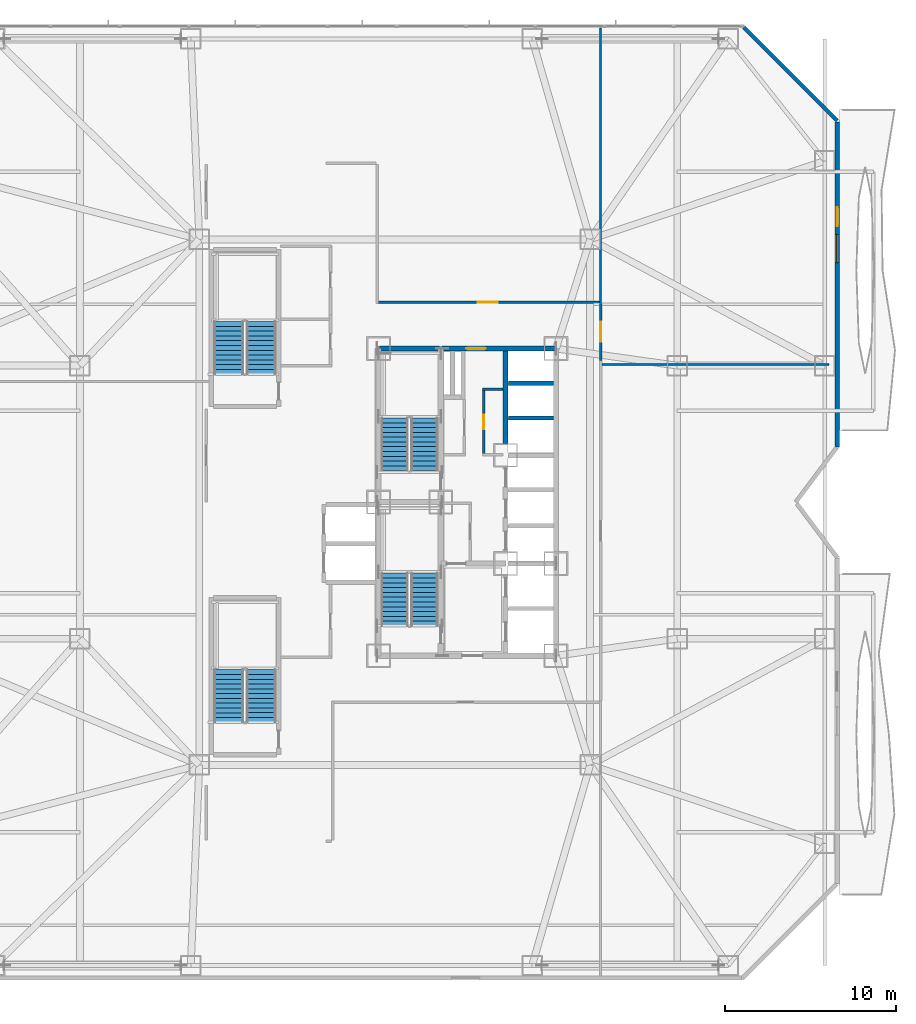
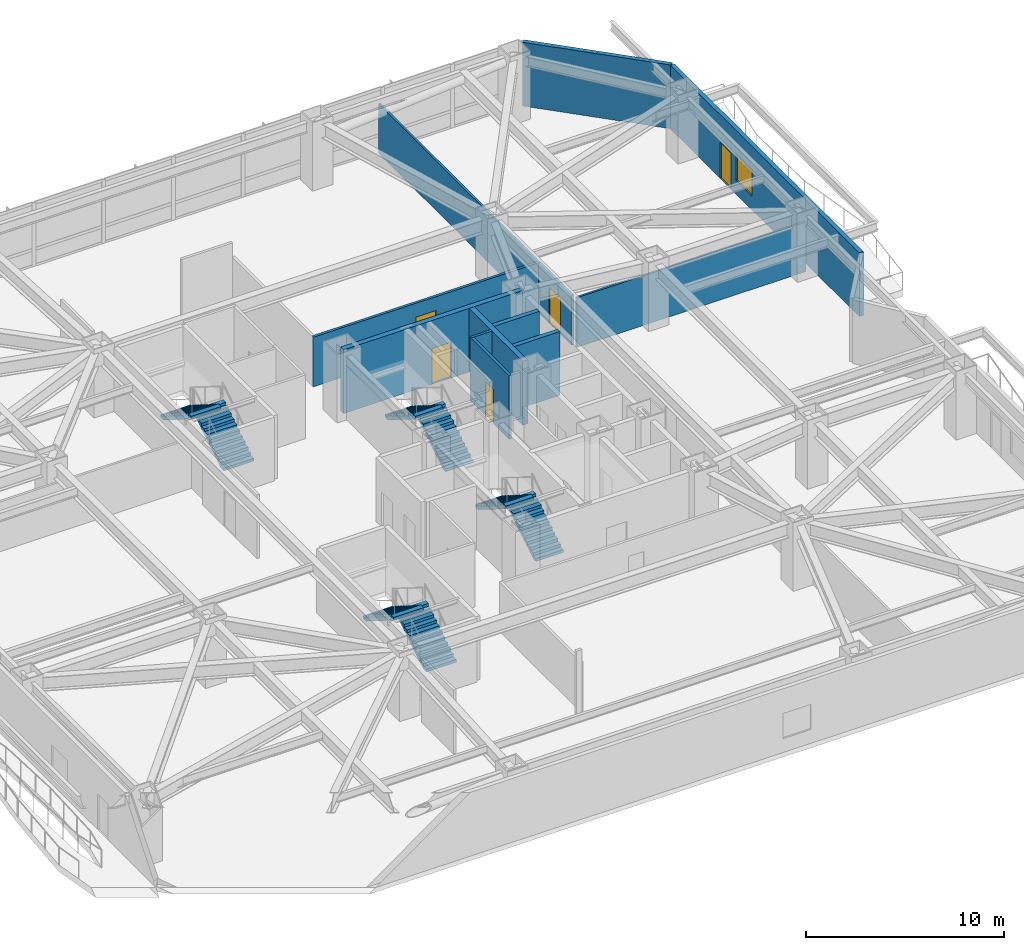
# One storey, part 18 of 24: 12 walls, 8 stair flights, 5 doors, 1 window, 6 openings, 4 elements without a shape of their own.
"""IFC4 building model written with IfcOpenShell, lengths in metres."""

from ifc_helpers import new_model, si_unit, direction, frame, frame_2d, origin, place, context, subcontext, project, spatial, polyline, rectangle, outline, extrude, material, layer, layer_set, type_object, element, fill, aggregate, save


model = new_model("IFC4")

# Units and contexts
model_context = context("Model", 3, precision=1e-05, world=origin(), true_north=direction((0.0, 1.0)))
body_context = subcontext(model_context, "Body", "Model", "MODEL_VIEW")
ifc_project = project(units=[si_unit("LENGTHUNIT", "METRE"), si_unit("AREAUNIT", "SQUARE_METRE"), si_unit("VOLUMEUNIT", "CUBIC_METRE"), si_unit("PLANEANGLEUNIT", "RADIAN"), si_unit("MASSUNIT", "GRAM", prefix="KILO")], contexts=[model_context])

# Site, building, storey
site_placement = place(None, origin())
site = spatial("IfcSite", under=ifc_project, at=site_placement, CompositionType="ELEMENT")
building_placement = place(site_placement, origin())
building = spatial("IfcBuilding", under=site, at=building_placement, Name="Khamvora Tower", CompositionType="ELEMENT")
storey_placement = place(building_placement, frame((0.0, 0.0, 20.39990234375)))
storey = spatial("IfcBuildingStorey", under=building, at=storey_placement, Name="L04", CompositionType="ELEMENT", Elevation=20.39990234375)

# Wall, opening, door
ifc_material_1 = material(Name="Concrete C50/60", Category="concrete")
ifc_layer_1 = layer(ifc_material_1, 0.300048828125)
ifc_layer_set_1 = layer_set([ifc_layer_1], Name="Concrete C50/60")
wall_type_1 = type_object("IfcWallType", Name="WAL-CORE-300", PredefinedType="SHEAR", material=ifc_layer_set_1)
wall_1_placement = place(storey_placement, frame((29.0, 37.0, 0.0), z_axis=(0.0, 0.0, 1.0), x_axis=(1.0, 0.0, 0.0)))
wall_1 = element("IfcWall", 1, at=wall_1_placement, inside=storey, type_object=wall_type_1, Name="L04 central core north wall", PredefinedType="SHEAR", context=body_context, shape_type="SweptSolid", body=[
    extrude(rectangle(XDim=10.39990234375, YDim=0.300048828125, at=frame_2d((5.199951171875, 0.0))), origin(), (0.0, 0.0, 1.0), 3.920166015625),
])
opening_1_placement = place(wall_1_placement, frame((5.139892578125, 0.0, 0.0)))
opening_1 = element("IfcOpeningElement", 2, at=opening_1_placement, cuts=wall_1, Name="Opening D-SC1", PredefinedType="OPENING", context=body_context, shape_type="SweptSolid", body=[
    extrude(rectangle(XDim=1.14990234375, YDim=2.199951171875, at=frame_2d((0.574951171875, 1.10009765625))), frame((0.0, 0.159912109375, 0.0), z_axis=(0.0, -1.0, 0.0), x_axis=(1.0, 0.0, 0.0)), (0.0, 0.0, 1.0), 0.320068359375),
])
ifc_material_2 = material(Name="Powder-Coated Steel and Hardwood Leaf", Category="steel")
door_type_1 = type_object("IfcDoorType", Name="DOR-SCHL-1150", OperationType="NOTDEFINED", PredefinedType="DOOR", material=ifc_material_2)
door_1_placement = place(opening_1_placement, origin())
door_1 = element("IfcDoor", 3, at=door_1_placement, inside=storey, type_object=door_type_1, Name="L04 north core lobby to corridor fire door", OperationType="SINGLE_SWING_RIGHT", OverallHeight=2.199951171875, OverallWidth=1.14990234375, PredefinedType="DOOR", context=body_context, shape_type="SweptSolid", body=[
    extrude(rectangle(XDim=1.14990234375, YDim=2.199951171875, at=frame_2d((0.574951171875, 1.10009765625))), frame((0.0, 0.02490234375, 0.0), z_axis=(0.0, -1.0, 0.0), x_axis=(1.0, 0.0, 0.0)), (0.0, 0.0, 1.0), 0.050048828125),
])
fill(opening_1, door_1)

# Walls
wall_2_placement = place(storey_placement, frame((36.449951171875, 31.449951171875, 0.0), z_axis=(0.0, 0.0, 1.0), x_axis=(0.0, 1.0, 0.0)))
element("IfcWall", 4, at=wall_2_placement, inside=storey, type_object=wall_type_1, Name="L04 central core lift bank north wall", PredefinedType="SHEAR", context=body_context, shape_type="SweptSolid", body=[
    extrude(rectangle(XDim=5.39599609375, YDim=0.300048828125, at=frame_2d((2.697998046875, 0.0))), origin(), (0.0, 0.0, 1.0), 3.920166015625),
])
ifc_material_3 = material(Name="Fire-Rated Drywall and Steel Stud", Category="steel")
ifc_layer_2 = layer(ifc_material_3, 0.14990234375)
ifc_layer_set_2 = layer_set([ifc_layer_2], Name="Fire-Rated Drywall and Steel Stud")
wall_type_2 = type_object("IfcWallType", Name="WAL-CORR-150", PredefinedType="STANDARD", material=ifc_layer_set_2)
wall_3_placement = place(storey_placement, frame((36.305908203125, 34.614990234375, 0.0), z_axis=(0.0, 0.0, 1.0), x_axis=(-1.0, 0.0, 0.0)))
element("IfcWall", 5, at=wall_3_placement, inside=storey, type_object=wall_type_2, Name="L04 interior partition wall 001", PredefinedType="STANDARD", context=body_context, shape_type="SweptSolid", body=[
    extrude(rectangle(XDim=1.205810546875, YDim=0.14990234375, at=frame_2d((0.60302734375, 0.0))), origin(), (0.0, 0.0, 1.0), 3.920166015625),
])

# Wall, opening, door
wall_4_placement = place(storey_placement, frame((35.1650390625, 34.677978515625, 0.0), z_axis=(0.0, 0.0, 1.0), x_axis=(0.0, -1.0, 0.0)))
wall_4 = element("IfcWall", 6, at=wall_4_placement, inside=storey, type_object=wall_type_2, Name="L04 interior partition wall 002", PredefinedType="STANDARD", context=body_context, shape_type="SweptSolid", body=[
    extrude(rectangle(XDim=3.9580078125, YDim=0.14990234375, at=frame_2d((1.97900390625, 0.0))), origin(), (0.0, 0.0, 1.0), 3.920166015625),
])
opening_2_placement = place(wall_4_placement, frame((1.553955078125, 0.0, 0.0)))
opening_2 = element("IfcOpeningElement", 7, at=opening_2_placement, cuts=wall_4, Name="Opening D-WC1", PredefinedType="OPENING", context=body_context, shape_type="SweptSolid", body=[
    extrude(rectangle(XDim=0.85009765625, YDim=2.10009765625, at=frame_2d((0.425048828125, 1.050048828125))), frame((0.0, 0.0849609375, 0.0), z_axis=(0.0, -1.0, 0.0), x_axis=(1.0, 0.0, 0.0)), (0.0, 0.0, 1.0), 0.169921875),
])
door_type_2 = type_object("IfcDoorType", Name="DOR-WET-850", OperationType="NOTDEFINED", PredefinedType="DOOR", material=ifc_material_2)
door_2_placement = place(opening_2_placement, origin())
door_2 = element("IfcDoor", 8, at=door_2_placement, inside=storey, type_object=door_type_2, Name="L04 interior door PLL-CS1", OperationType="SINGLE_SWING_LEFT", OverallHeight=2.10009765625, OverallWidth=0.85009765625, PredefinedType="DOOR", context=body_context, shape_type="SweptSolid", body=[
    extrude(rectangle(XDim=0.85009765625, YDim=2.10009765625, at=frame_2d((0.425048828125, 1.050048828125))), frame((0.0, 0.02490234375, 0.0), z_axis=(0.0, -1.0, 0.0), x_axis=(1.0, 0.0, 0.0)), (0.0, 0.0, 1.0), 0.050048828125),
])
fill(opening_2, door_2)

wall_5_placement = place(storey_placement, frame((42.014892578125, 39.64990234375, 0.0), z_axis=(0.0, 0.0, 1.0), x_axis=(0.0, -1.0, 0.0)))
wall_5 = element("IfcWall", 9, at=wall_5_placement, inside=storey, type_object=wall_type_2, Name="L04 interior partition wall 018", PredefinedType="STANDARD", context=body_context, shape_type="SweptSolid", body=[
    extrude(rectangle(XDim=3.3359375, YDim=0.14990234375, at=frame_2d((1.66796875, 0.0))), origin(), (0.0, 0.0, 1.0), 3.05517578125),
])
opening_3_placement = place(wall_5_placement, frame((1.093017578125, 0.0, 0.0)))
opening_3 = element("IfcOpeningElement", 10, at=opening_3_placement, cuts=wall_5, Name="Opening D-SC1", PredefinedType="OPENING", context=body_context, shape_type="SweptSolid", body=[
    extrude(rectangle(XDim=1.14990234375, YDim=2.199951171875, at=frame_2d((0.574951171875, 1.10009765625))), frame((0.0, 0.0849609375, 0.0), z_axis=(0.0, -1.0, 0.0), x_axis=(1.0, 0.0, 0.0)), (0.0, 0.0, 1.0), 0.169921875),
])
door_3_placement = place(opening_3_placement, origin())
door_3 = element("IfcDoor", 11, at=door_3_placement, inside=storey, type_object=door_type_1, Name="L04 interior door SCOR-CL1", OperationType="SINGLE_SWING_RIGHT", OverallHeight=2.199951171875, OverallWidth=1.14990234375, PredefinedType="DOOR", context=body_context, shape_type="SweptSolid", body=[
    extrude(rectangle(XDim=1.14990234375, YDim=2.199951171875, at=frame_2d((0.574951171875, 1.10009765625))), frame((0.0, 0.02490234375, 0.0), z_axis=(0.0, -1.0, 0.0), x_axis=(1.0, 0.0, 0.0)), (0.0, 0.0, 1.0), 0.050048828125),
])
fill(opening_3, door_3)

wall_6_placement = place(storey_placement, frame((28.85205078125, 39.715087890625, 0.0), z_axis=(0.0, 0.0, 1.0), x_axis=(1.0, 0.0, 0.0)))
wall_6 = element("IfcWall", 12, at=wall_6_placement, inside=storey, type_object=wall_type_2, Name="L04 interior partition wall 024", PredefinedType="STANDARD", context=body_context, shape_type="SweptSolid", body=[
    extrude(rectangle(XDim=13.097900390625, YDim=0.14990234375, at=frame_2d((6.548828125, 0.0))), origin(), (0.0, 0.0, 1.0), 3.05517578125),
])
opening_4_placement = place(wall_6_placement, frame((5.97412109375, 0.0, 0.0)))
opening_4 = element("IfcOpeningElement", 13, at=opening_4_placement, cuts=wall_6, Name="Opening D-SC1", PredefinedType="OPENING", context=body_context, shape_type="SweptSolid", body=[
    extrude(rectangle(XDim=1.14990234375, YDim=2.199951171875, at=frame_2d((0.574951171875, 1.10009765625))), frame((0.0, 0.0849609375, 0.0), z_axis=(0.0, -1.0, 0.0), x_axis=(1.0, 0.0, 0.0)), (0.0, 0.0, 1.0), 0.169921875),
])
door_4_placement = place(opening_4_placement, origin())
door_4 = element("IfcDoor", 14, at=door_4_placement, inside=storey, type_object=door_type_1, Name="L04 interior door SCOR-CL2", OperationType="SINGLE_SWING_RIGHT", OverallHeight=2.199951171875, OverallWidth=1.14990234375, PredefinedType="DOOR", context=body_context, shape_type="SweptSolid", body=[
    extrude(rectangle(XDim=1.14990234375, YDim=2.199951171875, at=frame_2d((0.574951171875, 1.10009765625))), frame((0.0, 0.02490234375, 0.0), z_axis=(0.0, -1.0, 0.0), x_axis=(1.0, 0.0, 0.0)), (0.0, 0.0, 1.0), 0.050048828125),
])
fill(opening_4, door_4)

# Wall
ifc_material_4 = material(Name="Precast concrete C40/50", Category="concrete")
ifc_layer_3 = layer(ifc_material_4, 0.239990234375)
ifc_layer_set_3 = layer_set([ifc_layer_3], Name="Precast concrete C40/50")
wall_type_3 = type_object("IfcWallType", Name="WAL-EXT-240", PredefinedType="STANDARD", material=ifc_layer_set_3)
wall_7_placement = place(storey_placement, frame((50.405029296875, 55.824951171875, 0.0), z_axis=(0.0, 0.0, 1.0), x_axis=(0.707106781187, -0.707106781187, 0.0)))
element("IfcWall", 15, at=wall_7_placement, inside=storey, type_object=wall_type_3, Name="L04 exterior facade wall 08.1", PredefinedType="STANDARD", context=body_context, shape_type="SweptSolid", body=[
    extrude(rectangle(XDim=7.74267578125, YDim=0.239990234375, at=frame_2d((3.871337890625, 0.0))), origin(), (0.0, 0.0, 1.0), 3.920166015625),
])

# Wall, openings, door, window
wall_8_placement = place(storey_placement, frame((55.8798828125, 50.27197265625, 0.0), z_axis=(0.0, 0.0, 1.0), x_axis=(0.0, -1.0, 0.0)))
wall_8 = element("IfcWall", 16, at=wall_8_placement, inside=storey, type_object=wall_type_3, Name="L04 exterior facade wall 09.1", PredefinedType="STANDARD", context=body_context, shape_type="SweptSolid", body=[
    extrude(rectangle(XDim=19.031982421875, YDim=0.239990234375, at=frame_2d((9.51611328125, 0.0))), origin(), (0.0, 0.0, 1.0), 3.920166015625),
])
opening_5_placement = place(wall_8_placement, frame((5.0, 0.0, 0.0)))
opening_5 = element("IfcOpeningElement", 17, at=opening_5_placement, cuts=wall_8, Name="Opening BD-01", PredefinedType="OPENING", context=body_context, shape_type="SweptSolid", body=[
    extrude(rectangle(XDim=1.10009765625, YDim=2.199951171875, at=frame_2d((0.550048828125, 1.10009765625))), frame((0.0, 0.1298828125, 0.0), z_axis=(0.0, -1.0, 0.0), x_axis=(1.0, 0.0, 0.0)), (0.0, 0.0, 1.0), 0.260009765625),
])
opening_6_placement = place(wall_8_placement, frame((6.591064453125, 0.0, 0.85009765625)))
opening_6 = element("IfcOpeningElement", 18, at=opening_6_placement, cuts=wall_8, Name="Opening WN-06", PredefinedType="OPENING", context=body_context, shape_type="SweptSolid", body=[
    extrude(rectangle(XDim=1.64990234375, YDim=1.550048828125, at=frame_2d((0.824951171875, 0.77490234375))), frame((0.0, 0.1298828125, 0.0), z_axis=(0.0, -1.0, 0.0), x_axis=(1.0, 0.0, 0.0)), (0.0, 0.0, 1.0), 0.260009765625),
])
ifc_material_5 = material(Name="Anodised Aluminium and Laminated Safety Glass", Category="aluminium")
door_type_3 = type_object("IfcDoorType", Name="DOR-BAL-1100", OperationType="NOTDEFINED", PredefinedType="DOOR", material=ifc_material_5)
door_5_placement = place(opening_5_placement, origin())
door_5 = element("IfcDoor", 19, at=door_5_placement, inside=storey, type_object=door_type_3, Name="L04 lens gallery balcony door EL2", OperationType="SLIDING_TO_LEFT", OverallHeight=2.199951171875, OverallWidth=1.10009765625, PredefinedType="DOOR", context=body_context, shape_type="SweptSolid", body=[
    extrude(rectangle(XDim=1.10009765625, YDim=2.199951171875, at=frame_2d((0.550048828125, 1.10009765625))), frame((0.0, 0.02490234375, 0.0), z_axis=(0.0, -1.0, 0.0), x_axis=(1.0, 0.0, 0.0)), (0.0, 0.0, 1.0), 0.050048828125),
])
fill(opening_5, door_5)
ifc_material_6 = material(Name="Low-E Laminated Double Glazing", Category="glass")
window_type = type_object("IfcWindowType", Name="WIN-VIS-1650x1550", PartitioningType="SINGLE_PANEL", PredefinedType="WINDOW", material=ifc_material_6)
window_placement = place(opening_6_placement, origin())
window = element("IfcWindow", 20, at=window_placement, inside=storey, type_object=window_type, Name="L04 vision window 09.1.01", OverallHeight=1.550048828125, OverallWidth=1.64990234375, PartitioningType="SINGLE_PANEL", PredefinedType="WINDOW", context=body_context, shape_type="SweptSolid", body=[
    extrude(rectangle(XDim=1.64990234375, YDim=1.550048828125, at=frame_2d((0.824951171875, 0.77490234375))), frame((0.0, 0.030029296875, 0.0), z_axis=(0.0, -1.0, 0.0), x_axis=(1.0, 0.0, 0.0)), (0.0, 0.0, 1.0), 0.06005859375),
])
fill(opening_6, window)

# Walls
ifc_material_7 = material(Name="Gypsum Plasterboard Partition", Category="gypsum")
ifc_layer_4 = layer(ifc_material_7, 0.1201171875)
ifc_layer_set_4 = layer_set([ifc_layer_4], Name="Gypsum Plasterboard Partition")
wall_type_4 = type_object("IfcWallType", Name="WAL-PART-120", PredefinedType="PARTITIONING", material=ifc_layer_set_4)
wall_9_placement = place(storey_placement, frame((42.08203125, 36.06494140625, 0.0), z_axis=(0.0, 0.0, 1.0), x_axis=(1.0, 0.0, 0.0)))
element("IfcWall", 21, at=wall_9_placement, inside=storey, type_object=wall_type_4, Name="L04 interior partition wall 027", PredefinedType="PARTITIONING", context=body_context, shape_type="SweptSolid", body=[
    extrude(rectangle(XDim=13.31787109375, YDim=0.1201171875, at=frame_2d((6.658935546875, 0.0))), origin(), (0.0, 0.0, 1.0), 3.05517578125),
])
wall_10_placement = place(storey_placement, frame((42.014892578125, 39.64990234375, 0.0), z_axis=(0.0, 0.0, 1.0), x_axis=(0.0, 1.0, 0.0)))
element("IfcWall", 22, at=wall_10_placement, inside=storey, type_object=wall_type_4, Name="L04 interior partition wall 029", PredefinedType="PARTITIONING", context=body_context, shape_type="SweptSolid", body=[
    extrude(rectangle(XDim=16.128173828125, YDim=0.1201171875, at=frame_2d((8.06396484375, 0.0))), origin(), (0.0, 0.0, 1.0), 3.05517578125),
])
ifc_material_8 = material(Name="Concrete C40/50", Category="concrete")
ifc_layer_5 = layer(ifc_material_8, 0.25)
ifc_layer_set_5 = layer_set([ifc_layer_5], Name="Concrete C40/50")
wall_type_5 = type_object("IfcWallType", Name="WAL-PODS-250", PredefinedType="SHEAR", material=ifc_layer_set_5)
for number, where, z_axis, x_axis, name in (
    (23, (36.60400390625, 32.925048828125, 0.0), (0.0, 0.0, 1.0), (1.0, 0.0, 0.0), "L04 lift shaft divider wall PH-01"),
    (24, (36.60400390625, 34.97509765625, 0.0), (0.0, 0.0, 1.0), (1.0, 0.0, 0.0), "L04 lift shaft divider wall PH-02"),
):
    element("IfcWall", number, at=place(storey_placement, frame(where, z_axis=z_axis, x_axis=x_axis)), inside=storey, type_object=wall_type_5, Name=name, PredefinedType="SHEAR", context=body_context, shape_type="SweptSolid", body=[
        extrude(rectangle(XDim=2.64208984375, YDim=0.25, at=frame_2d((1.321044921875, 0.0))), origin(), (0.0, 0.0, 1.0), 3.920166015625),
    ])

# Stair, stair flights
stair_type_1 = type_object("IfcStairType", Name="STR-ST-01", PredefinedType="HALF_TURN_STAIR", material=ifc_material_8)
stair_1_placement = place(storey_placement, origin())
stair_1 = element("IfcStair", 25, at=stair_1_placement, inside=storey, type_object=stair_type_1, Name="L04 South Tower Exit Stair ST-01", PredefinedType="HALF_TURN_STAIR")
stair_flight_type_1 = type_object("IfcStairFlightType", Name="STF-ST-01", PredefinedType="STRAIGHT", material=ifc_material_8)
stair_flight_1_placement = place(storey_placement, frame((31.699951171875, 20.75, 0.0), z_axis=(0.0, 0.0, 1.0), x_axis=(0.0, 1.0, 0.0)))
stair_flight_1 = element("IfcStairFlight", 26, at=stair_flight_1_placement, type_object=stair_flight_type_1, Name="ST-01 flight 1", NumberOfRisers=12, NumberOfTreads=11, PredefinedType="STRAIGHT", RiserHeight=0.175, TreadLength=0.28, context=body_context, shape_type="SweptSolid", body=[
    extrude(outline(polyline([(0.0, 0.0), (0.0, 0.175048828125), (0.280029296875, 0.175048828125), (0.280029296875, 0.35009765625), (0.56005859375, 0.35009765625), (0.56005859375, 0.52490234375), (0.840087890625, 0.52490234375), (0.840087890625, 0.699951171875), (1.1201171875, 0.699951171875), (1.1201171875, 0.875), (1.39990234375, 0.875), (1.39990234375, 1.050048828125), (1.679931640625, 1.050048828125), (1.679931640625, 1.22509765625), (1.9599609375, 1.22509765625), (1.9599609375, 1.39990234375), (2.239990234375, 1.39990234375), (2.239990234375, 1.574951171875), (2.52001953125, 1.574951171875), (2.52001953125, 1.75), (2.800048828125, 1.75), (2.800048828125, 1.925048828125), (3.080078125, 1.925048828125), (3.080078125, 2.10009765625), (3.080078125, 1.748291015625), (0.28271484375, 0.0), (0.0, 0.0)])), frame((0.0, 0.800048828125, 0.0), z_axis=(0.0, -1.0, 0.0), x_axis=(1.0, 0.0, 0.0)), (0.0, 0.0, 1.0), 1.60009765625),
])
stair_flight_2_placement = place(storey_placement, frame((29.949951171875, 23.830078125, 2.10009765625), z_axis=(0.0, 0.0, 1.0), x_axis=(0.0, -1.0, 0.0)))
stair_flight_2 = element("IfcStairFlight", 27, at=stair_flight_2_placement, type_object=stair_flight_type_1, Name="ST-01 flight 2", NumberOfRisers=12, NumberOfTreads=11, PredefinedType="STRAIGHT", RiserHeight=0.175, TreadLength=0.28, context=body_context, shape_type="SweptSolid", body=[
    extrude(outline(polyline([(0.0, 0.0), (0.0, 0.175048828125), (0.280029296875, 0.175048828125), (0.280029296875, 0.35009765625), (0.56005859375, 0.35009765625), (0.56005859375, 0.52490234375), (0.840087890625, 0.52490234375), (0.840087890625, 0.699951171875), (1.1201171875, 0.699951171875), (1.1201171875, 0.875), (1.39990234375, 0.875), (1.39990234375, 1.050048828125), (1.679931640625, 1.050048828125), (1.679931640625, 1.22509765625), (1.9599609375, 1.22509765625), (1.9599609375, 1.39990234375), (2.239990234375, 1.39990234375), (2.239990234375, 1.574951171875), (2.52001953125, 1.574951171875), (2.52001953125, 1.75), (2.800048828125, 1.75), (2.800048828125, 1.925048828125), (3.080078125, 1.925048828125), (3.080078125, 2.10009765625), (3.080078125, 1.748291015625), (0.28271484375, 0.0), (0.0, 0.0)])), frame((0.0, 0.800048828125, 0.0), z_axis=(0.0, -1.0, 0.0), x_axis=(1.0, 0.0, 0.0)), (0.0, 0.0, 1.0), 1.60009765625),
])
aggregate(stair_1, [stair_flight_1, stair_flight_2])

stair_type_2 = type_object("IfcStairType", Name="STR-ST-02", PredefinedType="HALF_TURN_STAIR", material=ifc_material_8)
stair_2_placement = place(storey_placement, origin())
stair_2 = element("IfcStair", 28, at=stair_2_placement, inside=storey, type_object=stair_type_2, Name="L04 North Tower Exit Stair ST-02", PredefinedType="HALF_TURN_STAIR")
stair_flight_type_2 = type_object("IfcStairFlightType", Name="STF-ST-02", PredefinedType="STRAIGHT", material=ifc_material_8)
stair_flight_3_placement = place(storey_placement, frame((31.699951171875, 29.85009765625, 0.0), z_axis=(0.0, 0.0, 1.0), x_axis=(0.0, 1.0, 0.0)))
stair_flight_3 = element("IfcStairFlight", 29, at=stair_flight_3_placement, type_object=stair_flight_type_2, Name="ST-02 flight 1", NumberOfRisers=12, NumberOfTreads=11, PredefinedType="STRAIGHT", RiserHeight=0.175, TreadLength=0.28, context=body_context, shape_type="SweptSolid", body=[
    extrude(outline(polyline([(0.0, 0.0), (0.0, 0.175048828125), (0.280029296875, 0.175048828125), (0.280029296875, 0.35009765625), (0.56005859375, 0.35009765625), (0.56005859375, 0.52490234375), (0.840087890625, 0.52490234375), (0.840087890625, 0.699951171875), (1.1201171875, 0.699951171875), (1.1201171875, 0.875), (1.39990234375, 0.875), (1.39990234375, 1.050048828125), (1.679931640625, 1.050048828125), (1.679931640625, 1.22509765625), (1.9599609375, 1.22509765625), (1.9599609375, 1.39990234375), (2.239990234375, 1.39990234375), (2.239990234375, 1.574951171875), (2.52001953125, 1.574951171875), (2.52001953125, 1.75), (2.800048828125, 1.75), (2.800048828125, 1.925048828125), (3.080078125, 1.925048828125), (3.080078125, 2.10009765625), (3.080078125, 1.748291015625), (0.28271484375, 0.0), (0.0, 0.0)])), frame((0.0, 0.800048828125, 0.0), z_axis=(0.0, -1.0, 0.0), x_axis=(1.0, 0.0, 0.0)), (0.0, 0.0, 1.0), 1.60009765625),
])
stair_flight_4_placement = place(storey_placement, frame((29.949951171875, 32.929931640625, 2.10009765625), z_axis=(0.0, 0.0, 1.0), x_axis=(0.0, -1.0, 0.0)))
stair_flight_4 = element("IfcStairFlight", 30, at=stair_flight_4_placement, type_object=stair_flight_type_2, Name="ST-02 flight 2", NumberOfRisers=12, NumberOfTreads=11, PredefinedType="STRAIGHT", RiserHeight=0.175, TreadLength=0.28, context=body_context, shape_type="SweptSolid", body=[
    extrude(outline(polyline([(0.0, 0.0), (0.0, 0.175048828125), (0.280029296875, 0.175048828125), (0.280029296875, 0.35009765625), (0.56005859375, 0.35009765625), (0.56005859375, 0.52490234375), (0.840087890625, 0.52490234375), (0.840087890625, 0.699951171875), (1.1201171875, 0.699951171875), (1.1201171875, 0.875), (1.39990234375, 0.875), (1.39990234375, 1.050048828125), (1.679931640625, 1.050048828125), (1.679931640625, 1.22509765625), (1.9599609375, 1.22509765625), (1.9599609375, 1.39990234375), (2.239990234375, 1.39990234375), (2.239990234375, 1.574951171875), (2.52001953125, 1.574951171875), (2.52001953125, 1.75), (2.800048828125, 1.75), (2.800048828125, 1.925048828125), (3.080078125, 1.925048828125), (3.080078125, 2.10009765625), (3.080078125, 1.748291015625), (0.28271484375, 0.0), (0.0, 0.0)])), frame((0.0, 0.800048828125, 0.0), z_axis=(0.0, -1.0, 0.0), x_axis=(1.0, 0.0, 0.0)), (0.0, 0.0, 1.0), 1.60009765625),
])
aggregate(stair_2, [stair_flight_3, stair_flight_4])

stair_type_3 = type_object("IfcStairType", Name="STR-ST-03", PredefinedType="HALF_TURN_STAIR", material=ifc_material_8)
stair_3_placement = place(storey_placement, origin())
stair_3 = element("IfcStair", 31, at=stair_3_placement, inside=storey, type_object=stair_type_3, Name="L04 South School Podium Stair ST-03", PredefinedType="HALF_TURN_STAIR")
stair_flight_type_3 = type_object("IfcStairFlightType", Name="STF-ST-03", PredefinedType="STRAIGHT", material=ifc_material_8)
stair_flight_5_placement = place(storey_placement, frame((22.125, 15.10009765625, 0.0), z_axis=(0.0, 0.0, 1.0), x_axis=(0.0, 1.0, 0.0)))
stair_flight_5 = element("IfcStairFlight", 32, at=stair_flight_5_placement, type_object=stair_flight_type_3, Name="ST-03 flight 1", NumberOfRisers=12, NumberOfTreads=11, PredefinedType="STRAIGHT", RiserHeight=0.175, TreadLength=0.28, context=body_context, shape_type="SweptSolid", body=[
    extrude(outline(polyline([(0.0, 0.0), (0.0, 0.175048828125), (0.280029296875, 0.175048828125), (0.280029296875, 0.35009765625), (0.56005859375, 0.35009765625), (0.56005859375, 0.52490234375), (0.840087890625, 0.52490234375), (0.840087890625, 0.699951171875), (1.1201171875, 0.699951171875), (1.1201171875, 0.875), (1.39990234375, 0.875), (1.39990234375, 1.050048828125), (1.679931640625, 1.050048828125), (1.679931640625, 1.22509765625), (1.9599609375, 1.22509765625), (1.9599609375, 1.39990234375), (2.239990234375, 1.39990234375), (2.239990234375, 1.574951171875), (2.52001953125, 1.574951171875), (2.52001953125, 1.75), (2.800048828125, 1.75), (2.800048828125, 1.925048828125), (3.080078125, 1.925048828125), (3.080078125, 2.10009765625), (3.080078125, 1.748291015625), (0.28271484375, 0.0), (0.0, 0.0)])), frame((0.0, 0.875, 0.0), z_axis=(0.0, -1.0, 0.0), x_axis=(1.0, 0.0, 0.0)), (0.0, 0.0, 1.0), 1.75),
])
stair_flight_6_placement = place(storey_placement, frame((20.22509765625, 18.179931640625, 2.10009765625), z_axis=(0.0, 0.0, 1.0), x_axis=(0.0, -1.0, 0.0)))
stair_flight_6 = element("IfcStairFlight", 33, at=stair_flight_6_placement, type_object=stair_flight_type_3, Name="ST-03 flight 2", NumberOfRisers=12, NumberOfTreads=11, PredefinedType="STRAIGHT", RiserHeight=0.175, TreadLength=0.28, context=body_context, shape_type="SweptSolid", body=[
    extrude(outline(polyline([(0.0, 0.0), (0.0, 0.175048828125), (0.280029296875, 0.175048828125), (0.280029296875, 0.35009765625), (0.56005859375, 0.35009765625), (0.56005859375, 0.52490234375), (0.840087890625, 0.52490234375), (0.840087890625, 0.699951171875), (1.1201171875, 0.699951171875), (1.1201171875, 0.875), (1.39990234375, 0.875), (1.39990234375, 1.050048828125), (1.679931640625, 1.050048828125), (1.679931640625, 1.22509765625), (1.9599609375, 1.22509765625), (1.9599609375, 1.39990234375), (2.239990234375, 1.39990234375), (2.239990234375, 1.574951171875), (2.52001953125, 1.574951171875), (2.52001953125, 1.75), (2.800048828125, 1.75), (2.800048828125, 1.925048828125), (3.080078125, 1.925048828125), (3.080078125, 2.10009765625), (3.080078125, 1.748291015625), (0.28271484375, 0.0), (0.0, 0.0)])), frame((0.0, 0.875, 0.0), z_axis=(0.0, -1.0, 0.0), x_axis=(1.0, 0.0, 0.0)), (0.0, 0.0, 1.0), 1.75),
])
aggregate(stair_3, [stair_flight_5, stair_flight_6])

stair_type_4 = type_object("IfcStairType", Name="STR-ST-04", PredefinedType="HALF_TURN_STAIR", material=ifc_material_8)
stair_4_placement = place(storey_placement, origin())
stair_4 = element("IfcStair", 34, at=stair_4_placement, inside=storey, type_object=stair_type_4, Name="L04 North School Podium Stair ST-04", PredefinedType="HALF_TURN_STAIR")
stair_flight_type_4 = type_object("IfcStairFlightType", Name="STF-ST-04", PredefinedType="STRAIGHT", material=ifc_material_8)
stair_flight_7_placement = place(storey_placement, frame((22.125, 35.5, 0.0), z_axis=(0.0, 0.0, 1.0), x_axis=(0.0, 1.0, 0.0)))
stair_flight_7 = element("IfcStairFlight", 35, at=stair_flight_7_placement, type_object=stair_flight_type_4, Name="ST-04 flight 1", NumberOfRisers=12, NumberOfTreads=11, PredefinedType="STRAIGHT", RiserHeight=0.175, TreadLength=0.28, context=body_context, shape_type="SweptSolid", body=[
    extrude(outline(polyline([(0.0, 0.0), (0.0, 0.175048828125), (0.280029296875, 0.175048828125), (0.280029296875, 0.35009765625), (0.56005859375, 0.35009765625), (0.56005859375, 0.52490234375), (0.840087890625, 0.52490234375), (0.840087890625, 0.699951171875), (1.1201171875, 0.699951171875), (1.1201171875, 0.875), (1.39990234375, 0.875), (1.39990234375, 1.050048828125), (1.679931640625, 1.050048828125), (1.679931640625, 1.22509765625), (1.9599609375, 1.22509765625), (1.9599609375, 1.39990234375), (2.239990234375, 1.39990234375), (2.239990234375, 1.574951171875), (2.52001953125, 1.574951171875), (2.52001953125, 1.75), (2.800048828125, 1.75), (2.800048828125, 1.925048828125), (3.080078125, 1.925048828125), (3.080078125, 2.10009765625), (3.080078125, 1.748291015625), (0.28271484375, 0.0), (0.0, 0.0)])), frame((0.0, 0.875, 0.0), z_axis=(0.0, -1.0, 0.0), x_axis=(1.0, 0.0, 0.0)), (0.0, 0.0, 1.0), 1.75),
])
stair_flight_8_placement = place(storey_placement, frame((20.22509765625, 38.580078125, 2.10009765625), z_axis=(0.0, 0.0, 1.0), x_axis=(0.0, -1.0, 0.0)))
stair_flight_8 = element("IfcStairFlight", 36, at=stair_flight_8_placement, type_object=stair_flight_type_4, Name="ST-04 flight 2", NumberOfRisers=12, NumberOfTreads=11, PredefinedType="STRAIGHT", RiserHeight=0.175, TreadLength=0.28, context=body_context, shape_type="SweptSolid", body=[
    extrude(outline(polyline([(0.0, 0.0), (0.0, 0.175048828125), (0.280029296875, 0.175048828125), (0.280029296875, 0.35009765625), (0.56005859375, 0.35009765625), (0.56005859375, 0.52490234375), (0.840087890625, 0.52490234375), (0.840087890625, 0.699951171875), (1.1201171875, 0.699951171875), (1.1201171875, 0.875), (1.39990234375, 0.875), (1.39990234375, 1.050048828125), (1.679931640625, 1.050048828125), (1.679931640625, 1.22509765625), (1.9599609375, 1.22509765625), (1.9599609375, 1.39990234375), (2.239990234375, 1.39990234375), (2.239990234375, 1.574951171875), (2.52001953125, 1.574951171875), (2.52001953125, 1.75), (2.800048828125, 1.75), (2.800048828125, 1.925048828125), (3.080078125, 1.925048828125), (3.080078125, 2.10009765625), (3.080078125, 1.748291015625), (0.28271484375, 0.0), (0.0, 0.0)])), frame((0.0, 0.875, 0.0), z_axis=(0.0, -1.0, 0.0), x_axis=(1.0, 0.0, 0.0)), (0.0, 0.0, 1.0), 1.75),
])
aggregate(stair_4, [stair_flight_7, stair_flight_8])

save(model, "model.ifc")
